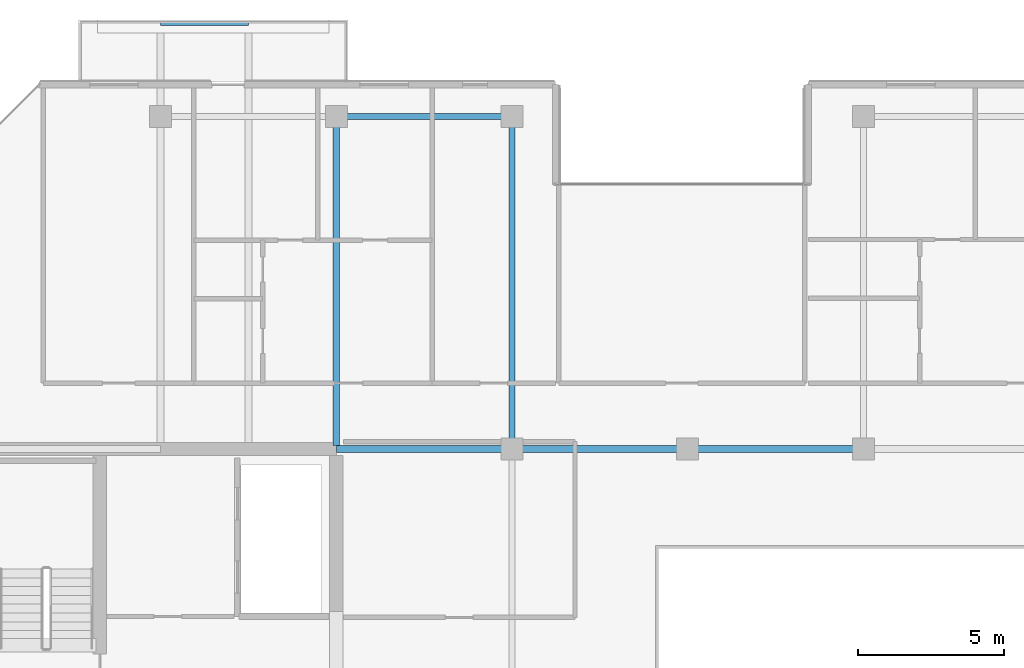
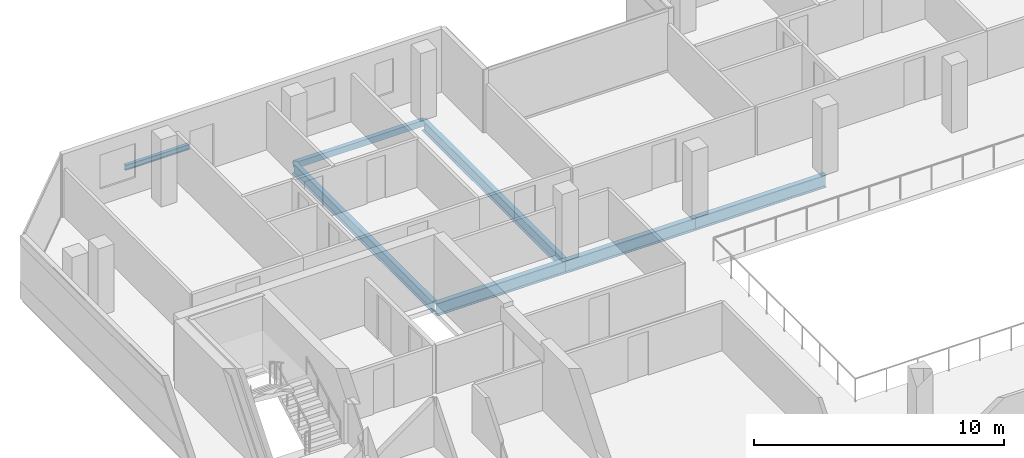
# One storey, part 9 of 28: 7 beams.
"""IFC4 building model written with IfcOpenShell, lengths in metres."""

from ifc_helpers import new_model, si_unit, direction, frame, origin, origin_2d, place, context, subcontext, project, spatial, hollow_rectangle, i_section, extrude, material, material_profile, profile_set, type_object, element, save


model = new_model("IFC4")

# Units and contexts
model_context = context("Model", 3, precision=1e-05, world=origin(), true_north=direction((0.0, 1.0)))
body_context = subcontext(model_context, "Body", "Model", "MODEL_VIEW")
ifc_project = project(units=[si_unit("LENGTHUNIT", "METRE"), si_unit("AREAUNIT", "SQUARE_METRE"), si_unit("VOLUMEUNIT", "CUBIC_METRE"), si_unit("PLANEANGLEUNIT", "RADIAN"), si_unit("MASSUNIT", "GRAM", prefix="KILO")], contexts=[model_context])

# Site, building, storey
site_placement = place(None, origin())
site = spatial("IfcSite", under=ifc_project, at=site_placement, CompositionType="ELEMENT")
building_placement = place(site_placement, origin())
building = spatial("IfcBuilding", under=site, at=building_placement, Name="Tanjung Sevakor Pilgrim Tower", CompositionType="ELEMENT")
storey_placement = place(building_placement, frame((0.0, 0.0, 222.75)))
storey = spatial("IfcBuildingStorey", under=building, at=storey_placement, Name="L62", CompositionType="ELEMENT", Elevation=222.75)

# Beams
ifc_material_1 = material(Name="Steel S355J2", Category="steel")
ifc_material_profile_1 = material_profile(ifc_material_1, i_section(OverallWidth=0.22900390625, OverallDepth=0.6123046875, WebThickness=0.011962890625, FlangeThickness=0.01953125, FilletRadius=0.0126953125, at=origin_2d()))
ifc_profile_set_1 = profile_set([ifc_material_profile_1], Name="Steel S355J2")
beam_type_1 = type_object("IfcBeamType", Name="BM-B-G4-UB_610x229x125", PredefinedType="BEAM", material=ifc_profile_set_1)
for number, where, z_axis, x_axis, name in (
    (1, (36.0, 42.60009765625, -0.526123046875), (1.0, 0.0, 0.0), (0.0, 1.0, 0.0), "L62 Primary Floor Girder MAIN Y426-02"),
    (2, (42.0, 42.60009765625, -0.526123046875), (1.0, 0.0, 0.0), (0.0, 1.0, 0.0), "L62 Primary Floor Girder MAIN Y426-03"),
    (3, (48.0, 42.60009765625, -0.526123046875), (1.0, 0.0, 0.0), (0.0, 1.0, 0.0), "L62 Primary Floor Girder MAIN Y426-04"),
):
    element("IfcBeam", number, at=place(storey_placement, frame(where, z_axis=z_axis, x_axis=x_axis)), inside=storey, type_object=beam_type_1, Name=name, PredefinedType="BEAM", context=body_context, shape_type="SweptSolid", body=[
        extrude(i_section(OverallWidth=0.22900390625, OverallDepth=0.6123046875, WebThickness=0.011962890625, FlangeThickness=0.01953125, FilletRadius=0.0126953125, at=origin_2d()), origin(), (0.0, 0.0, 1.0), 6.0),
    ])
ifc_material_2 = material(Name="Steel S355J2", Category="steel")
ifc_material_profile_2 = material_profile(ifc_material_2, i_section(OverallWidth=0.2119140625, OverallDepth=0.54443359375, WebThickness=0.0126953125, FlangeThickness=0.021240234375, FilletRadius=0.0126953125, at=origin_2d()))
ifc_profile_set_2 = profile_set([ifc_material_profile_2], Name="Steel S355J2")
beam_type_2 = type_object("IfcBeamType", Name="BM-B-G5-UB_533x210x122", PredefinedType="BEAM", material=ifc_profile_set_2)
beam_1_placement = place(storey_placement, frame((36.0, 42.714599609375, -0.4921875), z_axis=(0.0, 1.0, 0.0), x_axis=(-1.0, 0.0, 0.0)))
element("IfcBeam", 4, at=beam_1_placement, inside=storey, type_object=beam_type_2, Name="L62 MAIN Girder 002", PredefinedType="BEAM", context=body_context, shape_type="SweptSolid", body=[
    extrude(i_section(OverallWidth=0.2119140625, OverallDepth=0.54443359375, WebThickness=0.0126953125, FlangeThickness=0.021240234375, FilletRadius=0.0126953125, at=origin_2d()), origin(), (0.0, 0.0, 1.0), 11.2353515625),
])
beam_2_placement = place(storey_placement, frame((42.0, 42.60009765625, -0.4921875), z_axis=(0.0, 1.0, 0.0), x_axis=(-1.0, 0.0, 0.0)))
element("IfcBeam", 5, at=beam_2_placement, inside=storey, type_object=beam_type_2, Name="L62 MAIN Girder 005", PredefinedType="BEAM", context=body_context, shape_type="SweptSolid", body=[
    extrude(i_section(OverallWidth=0.2119140625, OverallDepth=0.54443359375, WebThickness=0.0126953125, FlangeThickness=0.021240234375, FilletRadius=0.0126953125, at=origin_2d()), origin(), (0.0, 0.0, 1.0), 11.349853515625),
])
ifc_material_3 = material(Name="Steel S355J2", Category="steel")
ifc_material_profile_3 = material_profile(ifc_material_3, i_section(OverallWidth=0.146484375, OverallDepth=0.256103515625, WebThickness=0.00634765625, FlangeThickness=0.010986328125, FilletRadius=0.007568359375, at=origin_2d()))
ifc_profile_set_3 = profile_set([ifc_material_profile_3], Name="Steel S355J2")
beam_type_3 = type_object("IfcBeamType", Name="BM-B-J6-UB_254x146x37", PredefinedType="JOIST", material=ifc_profile_set_3)
beam_3_placement = place(storey_placement, frame((30.0, 57.1298828125, -0.327880859375), z_axis=(1.0, 0.0, 0.0), x_axis=(0.0, 1.0, 0.0)))
element("IfcBeam", 6, at=beam_3_placement, inside=storey, type_object=beam_type_3, Name="L62 Balcony Rim Tie MAIN-N1", PredefinedType="JOIST", context=body_context, shape_type="SweptSolid", body=[
    extrude(i_section(OverallWidth=0.146484375, OverallDepth=0.256103515625, WebThickness=0.00634765625, FlangeThickness=0.010986328125, FilletRadius=0.007568359375, at=origin_2d()), origin(), (0.0, 0.0, 1.0), 3.0),
])
ifc_material_4 = material(Name="Steel S355J2", Category="steel")
ifc_material_profile_4 = material_profile(ifc_material_4, hollow_rectangle(XDim=0.199951171875, YDim=0.300048828125, WallThickness=0.012451171875, at=origin_2d()))
ifc_profile_set_4 = profile_set([ifc_material_profile_4], Name="Steel S355J2")
beam_type_4 = type_object("IfcBeamType", Name="BM-B-SP3-RHS_300x200x12.5", PredefinedType="SPANDREL", material=ifc_profile_set_4)
beam_4_placement = place(storey_placement, frame((36.0, 53.949951171875, -0.3701171875), z_axis=(1.0, 0.0, 0.0), x_axis=(0.0, 1.0, 0.0)))
element("IfcBeam", 7, at=beam_4_placement, inside=storey, type_object=beam_type_4, Name="L62 Spandrel MAIN N-04", PredefinedType="SPANDREL", context=body_context, shape_type="SweptSolid", body=[
    extrude(hollow_rectangle(XDim=0.199951171875, YDim=0.300048828125, WallThickness=0.012451171875, at=origin_2d()), origin(), (0.0, 0.0, 1.0), 6.0),
])

save(model, "model.ifc")
